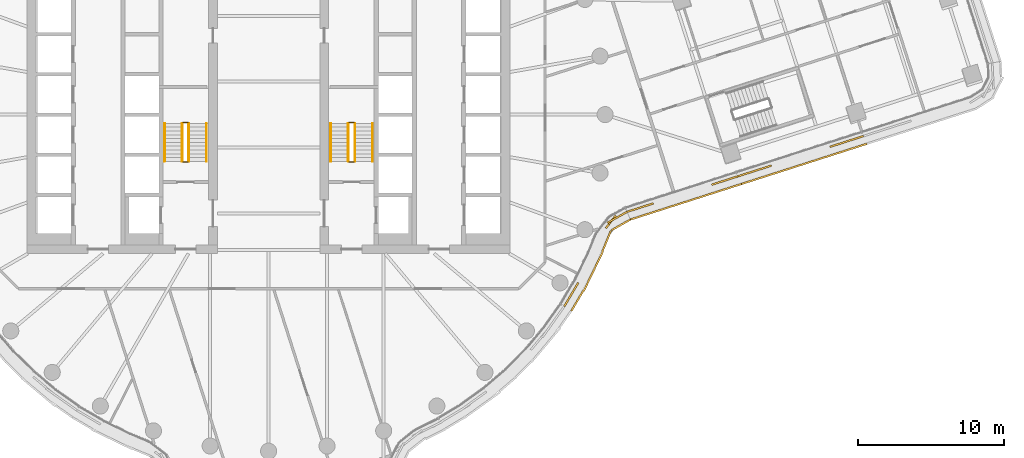
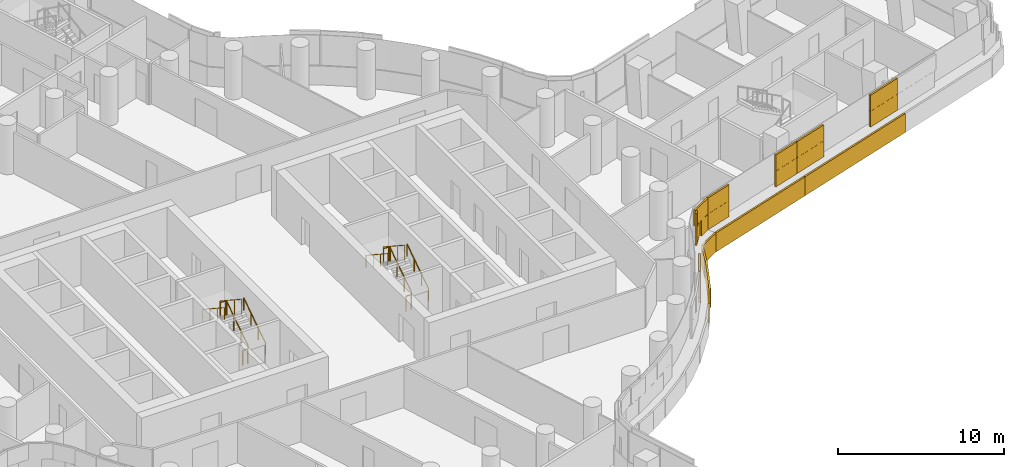
# One storey, part 27 of 30: 12 railings, 3 coverings.
"""IFC4 building model written with IfcOpenShell, lengths in metres."""

import ifcopenshell
import ifcopenshell.guid

model = None  # the IFC model being written
_history = None  # IfcOwnerHistory: only IFC2X3 demands one
_inside = {}  # id of a spatial element -> (the spatial element, [elements in it])
_under = {}  # id of a project, library or spatial element -> (it, [spatial elements below it])
_declared = {}  # id of a project -> (the project, [libraries it declares])
_typed = {}  # id of a type object -> (the type object, [elements of that type])
_made_of = {}  # id of a material, layer set ... -> (it, [elements and type objects made of it])


def new_model(schema):
    """Start an empty IFC model of exactly this schema.

    Asked for "IFC4X3", IfcOpenShell would pick the latest addendum, in which some entities
    have other attributes; the version numbers below select the first issue.
    IFC2X3 requires an IfcOwnerHistory on every rooted entity: one is made here for all.
    """
    global model, _history
    if schema == "IFC4X3":
        model = ifcopenshell.file(schema_version=(4, 3, 0, 0))
    else:
        model = ifcopenshell.file(schema=schema)
    _inside.clear()
    _under.clear()
    _declared.clear()
    _typed.clear()
    _made_of.clear()
    _history = None
    if model.schema == "IFC2X3":
        org = make("IfcOrganization", Name="unknown")
        user = make(
            "IfcPersonAndOrganization",
            ThePerson=make("IfcPerson", FamilyName="unknown"),
            TheOrganization=org,
        )
        app = make(
            "IfcApplication",
            ApplicationDeveloper=org,
            Version="unknown",
            ApplicationFullName="unknown",
            ApplicationIdentifier="unknown",
        )
        _history = make(
            "IfcOwnerHistory",
            OwningUser=user,
            OwningApplication=app,
            ChangeAction="ADDED",
            CreationDate=0,
        )
    return model


def make(cls, **values):
    """One entity of the class cls with the attributes given. An attribute that is None is left unset."""
    return model.create_entity(
        cls, **{name: value for name, value in values.items() if value is not None}
    )


def rooted(cls, **values):
    """An entity with a GlobalId (a new one), such as an element, a storey or a relation."""
    return make(cls, GlobalId=ifcopenshell.guid.new(), OwnerHistory=_history, **values)


def si_unit(unit_type, name, prefix=None):
    """IfcSIUnit, for example si_unit("LENGTHUNIT", "METRE", prefix="MILLI")."""
    return make("IfcSIUnit", UnitType=unit_type, Prefix=prefix, Name=name)


def assignment(units):
    """IfcUnitAssignment: the units of a project."""
    return None if units is None else make("IfcUnitAssignment", Units=units)


def point(xyz):
    """IfcCartesianPoint."""
    return None if xyz is None else make("IfcCartesianPoint", Coordinates=xyz)


def direction(xyz):
    """IfcDirection."""
    return None if xyz is None else make("IfcDirection", DirectionRatios=xyz)


def frame(location, z_axis=None, x_axis=None):
    """IfcAxis2Placement3D, a coordinate frame: its origin and axes. An axis left out is left unset."""
    return make(
        "IfcAxis2Placement3D",
        Location=point(location),
        Axis=direction(z_axis),
        RefDirection=direction(x_axis),
    )


def frame_2d(location, x_axis=None):
    """IfcAxis2Placement2D, a coordinate frame in the plane: its origin and x axis."""
    return make(
        "IfcAxis2Placement2D", Location=point(location), RefDirection=direction(x_axis)
    )


def origin():
    """The frame at (0, 0, 0) with its axes left unset."""
    return frame((0.0, 0.0, 0.0))


def origin_2d():
    """The frame at (0, 0) in the plane with its x axis left unset."""
    return frame_2d((0.0, 0.0))


def place(relative_to, where):
    """IfcLocalPlacement: puts the frame where relative to a parent placement (None: the world)."""
    return make(
        "IfcLocalPlacement", PlacementRelTo=relative_to, RelativePlacement=where
    )


def context(
    kind, dimensions, precision=None, world=None, true_north=None, identifier=None
):
    """IfcGeometricRepresentationContext, for example the 3D "Model" context."""
    return make(
        "IfcGeometricRepresentationContext",
        ContextIdentifier=identifier,
        ContextType=kind,
        CoordinateSpaceDimension=dimensions,
        Precision=precision,
        WorldCoordinateSystem=world,
        TrueNorth=true_north,
    )


def subcontext(parent, identifier, kind, view, scale=None):
    """IfcGeometricRepresentationSubContext, for example "Body" below "Model"."""
    return make(
        "IfcGeometricRepresentationSubContext",
        ContextIdentifier=identifier,
        ContextType=kind,
        ParentContext=parent,
        TargetScale=scale,
        TargetView=view,
    )


def project(units=None, contexts=None):
    """IfcProject with its units and contexts."""
    return rooted(
        "IfcProject",
        Name="project",
        RepresentationContexts=contexts,
        UnitsInContext=assignment(units),
    )


def spatial(cls, under=None, at=None, **own):
    """A site, building, storey or space (cls), placed at a placement, below another one or the project."""
    s = rooted(cls, ObjectPlacement=at, **own)
    if under is not None:
        _under.setdefault(under.id(), (under, []))[1].append(s)
    return s


def profile(cls, at=None, kind="AREA", **sizes):
    """A parametric profile (cls). Its sizes go by their IFC names, for example OverallWidth=200.0."""
    return make(cls, ProfileType=kind, Position=at, **sizes)


def rectangle(**sizes):
    """IfcRectangleProfileDef."""
    return profile("IfcRectangleProfileDef", **sizes)


def circle(**sizes):
    """IfcCircleProfileDef."""
    return profile("IfcCircleProfileDef", **sizes)


def extrude(swept, where, along, depth):
    """IfcExtrudedAreaSolid: the profile swept, set in the frame where, extruded along a direction by depth."""
    return make(
        "IfcExtrudedAreaSolid",
        SweptArea=swept,
        Position=where,
        ExtrudedDirection=direction(along),
        Depth=depth,
    )


def shape(context_of_items, identifier, shape_type, items):
    """IfcShapeRepresentation: the items that make up one representation, for example the "Body"."""
    return make(
        "IfcShapeRepresentation",
        ContextOfItems=context_of_items,
        RepresentationIdentifier=identifier,
        RepresentationType=shape_type,
        Items=items,
    )


def material(Name=None, Category=None):
    """IfcMaterial."""
    return make("IfcMaterial", Name=Name, Category=Category)


def layer(
    of_material, thickness, ventilated=None, Name=None, Category=None, Priority=None
):
    """IfcMaterialLayer: one layer of a wall or slab, of a material (None: an air gap)."""
    return make(
        "IfcMaterialLayer",
        Material=of_material,
        LayerThickness=thickness,
        IsVentilated=ventilated,
        Name=Name,
        Category=Category,
        Priority=Priority,
    )


def layer_set(layers, Name=None):
    """IfcMaterialLayerSet."""
    return make("IfcMaterialLayerSet", MaterialLayers=layers, LayerSetName=Name)


def made_of(thing, what):
    """Note that an element or type object is made of a material, layer set ...; save() writes the relation."""
    if what is not None:
        _made_of.setdefault(what.id(), (what, []))[1].append(thing)
    return thing


def type_object(cls, material=None, **own):
    """A type object (cls), such as IfcWallType, which elements share."""
    return made_of(rooted(cls, **own), material)


def element(
    cls,
    number,
    at=None,
    inside=None,
    cuts=None,
    type_object=None,
    material=None,
    context=None,
    identifier="Body",
    shape_type=None,
    held_by="IfcProductDefinitionShape",
    body=None,
    shapes=None,
    **own,
):
    """One element of the class cls, such as IfcWall. Its Tag is "e" and its number.

    at: its placement. inside: the storey or other place that contains it. cuts: it is an
    opening in that element (IfcRelVoidsElement). A single representation is given by context,
    identifier, shape_type and body (its items); several are given by shapes. held_by: the class
    of the entity that holds the representations. save() writes the other relations.
    """
    e = rooted(cls, Tag="e%d" % number, ObjectPlacement=at, **own)
    if body is not None:
        shapes = [shape(context, identifier, shape_type, body)]
    if shapes is not None:
        e.Representation = make(held_by, Representations=shapes)
    if inside is not None:
        _inside.setdefault(inside.id(), (inside, []))[1].append(e)
    if cuts is not None:
        rooted(
            "IfcRelVoidsElement", RelatingBuildingElement=cuts, RelatedOpeningElement=e
        )
    if type_object is not None:
        _typed.setdefault(type_object.id(), (type_object, []))[1].append(e)
    return made_of(e, material)


def aggregate(whole, parts):
    """IfcRelAggregates: a whole, such as a stair, and the parts it consists of."""
    return rooted("IfcRelAggregates", RelatingObject=whole, RelatedObjects=parts)


def save(model, path):
    """Write the relations noted so far, then the file.

    IfcRelAggregates (storeys below a building ...), IfcRelContainedInSpatialStructure (elements
    in a storey), IfcRelDefinesByType, IfcRelAssociatesMaterial and IfcRelDeclares: one each for
    every whole, place, type object, material and project.
    """
    for whole, parts in _under.values():
        aggregate(whole, parts)
    for where, things in _inside.values():
        rooted(
            "IfcRelContainedInSpatialStructure",
            RelatedElements=things,
            RelatingStructure=where,
        )
    for kind, things in _typed.values():
        rooted("IfcRelDefinesByType", RelatedObjects=things, RelatingType=kind)
    for what, things in _made_of.values():
        rooted("IfcRelAssociatesMaterial", RelatedObjects=things, RelatingMaterial=what)
    for by, libraries in _declared.values():
        rooted("IfcRelDeclares", RelatingContext=by, RelatedDefinitions=libraries)
    model.write(path)


model = new_model("IFC4")

# Units and contexts
model_context = context("Model", 3, precision=1e-05, world=origin(), true_north=direction((0.0, 1.0)))
body_context = subcontext(model_context, "Body", "Model", "MODEL_VIEW")
ifc_project = project(units=[si_unit("LENGTHUNIT", "METRE"), si_unit("AREAUNIT", "SQUARE_METRE"), si_unit("VOLUMEUNIT", "CUBIC_METRE"), si_unit("PLANEANGLEUNIT", "RADIAN"), si_unit("MASSUNIT", "GRAM", prefix="KILO")], contexts=[model_context])

# Site, building, storey
site_placement = place(None, origin())
site = spatial("IfcSite", under=ifc_project, at=site_placement, CompositionType="ELEMENT")
building_placement = place(site_placement, origin())
building = spatial("IfcBuilding", under=site, at=building_placement, Name="Tamarind Cross Interchange Tower", CompositionType="ELEMENT")
storey_placement = place(building_placement, frame((0.0, 0.0, 98.5)))
storey = spatial("IfcBuildingStorey", under=building, at=storey_placement, Name="L23", CompositionType="ELEMENT", Elevation=98.5)

# Railings
ifc_material_1 = material(Name="Stair guard")
railing_type_1 = type_object("IfcRailingType", Name="Stair guard", PredefinedType="GUARDRAIL", material=ifc_material_1)
railing_1_placement = place(storey_placement, frame((-5.449951171875, -3.199951171875, 0.17041015625)))
element("IfcRailing", 1, at=railing_1_placement, inside=storey, type_object=railing_type_1, Name="L23 ST1 stair guard 1", PredefinedType="GUARDRAIL", context=body_context, shape_type="SweptSolid", body=[
    extrude(circle(Radius=0.02392578125, at=origin_2d()), frame((0.0, 0.0, 1.076171875), z_axis=(0.0, 0.836278606002, 0.548304744775), x_axis=(-1.0, 0.0, 0.0)), (0.0, 0.0, 1.0), 3.10888671875),
    extrude(circle(Radius=0.02099609375, at=origin_2d()), origin(), (0.0, 0.0, 1.0), 1.052001953125),
    extrude(circle(Radius=0.02099609375, at=origin_2d()), frame((0.0, 0.86669921875, 0.568115234375)), (0.0, 0.0, 1.0), 1.052001953125),
    extrude(circle(Radius=0.02099609375, at=origin_2d()), frame((0.0, 1.733154296875, 1.136474609375)), (0.0, 0.0, 1.0), 1.052001953125),
    extrude(circle(Radius=0.02099609375, at=origin_2d()), frame((0.0, 2.599853515625, 1.70458984375)), (0.0, 0.0, 1.0), 1.052001953125),
])
railing_2_placement = place(storey_placement, frame((-5.5, -0.550048828125, 1.875)))
element("IfcRailing", 2, at=railing_2_placement, inside=storey, type_object=railing_type_1, Name="L23 ST1 stair guard 2", PredefinedType="GUARDRAIL", context=body_context, shape_type="SweptSolid", body=[
    extrude(circle(Radius=0.02392578125, at=origin_2d()), frame((0.0, 0.0, 1.076171875), z_axis=(-1.0, 0.0, 0.0), x_axis=(0.0, -1.0, 0.0)), (0.0, 0.0, 1.0), 0.35009765625),
    extrude(circle(Radius=0.02099609375, at=origin_2d()), origin(), (0.0, 0.0, 1.0), 1.052001953125),
    extrude(circle(Radius=0.02099609375, at=origin_2d()), frame((-0.35009765625, 0.0, 0.0)), (0.0, 0.0, 1.0), 1.052001953125),
])
railing_3_placement = place(storey_placement, frame((-5.89990234375, -0.60009765625, 2.04541015625)))
element("IfcRailing", 3, at=railing_3_placement, inside=storey, type_object=railing_type_1, Name="L23 ST1 stair guard 3", PredefinedType="GUARDRAIL", context=body_context, shape_type="SweptSolid", body=[
    extrude(circle(Radius=0.02392578125, at=origin_2d()), frame((0.0, 0.0, 1.076171875), z_axis=(0.0, -0.836278606002, 0.548304744775), x_axis=(1.0, 0.0, 0.0)), (0.0, 0.0, 1.0), 3.10888671875),
    extrude(circle(Radius=0.02099609375, at=origin_2d()), origin(), (0.0, 0.0, 1.0), 1.052001953125),
    extrude(circle(Radius=0.02099609375, at=origin_2d()), frame((0.0, -0.86669921875, 0.568115234375)), (0.0, 0.0, 1.0), 1.052001953125),
    extrude(circle(Radius=0.02099609375, at=origin_2d()), frame((0.0, -1.733154296875, 1.136474609375)), (0.0, 0.0, 1.0), 1.052001953125),
    extrude(circle(Radius=0.02099609375, at=origin_2d()), frame((0.0, -2.599853515625, 1.70458984375)), (0.0, 0.0, 1.0), 1.052001953125),
])
railing_4_placement = place(storey_placement, frame((-5.5, -3.25, 0.0)))
element("IfcRailing", 4, at=railing_4_placement, inside=storey, type_object=railing_type_1, Name="L23 ST1 stair guard 4", PredefinedType="GUARDRAIL", context=body_context, shape_type="SweptSolid", body=[
    extrude(circle(Radius=0.02392578125, at=origin_2d()), frame((0.0, 0.0, 1.076171875), z_axis=(-1.0, 0.0, 0.0), x_axis=(0.0, -1.0, 0.0)), (0.0, 0.0, 1.0), 0.35009765625),
    extrude(circle(Radius=0.02099609375, at=origin_2d()), origin(), (0.0, 0.0, 1.0), 1.052001953125),
    extrude(circle(Radius=0.02099609375, at=origin_2d()), frame((-0.35009765625, 0.0, 0.0)), (0.0, 0.0, 1.0), 1.052001953125),
])
railing_5_placement = place(storey_placement, frame((5.89990234375, -3.199951171875, 0.17041015625)))
element("IfcRailing", 5, at=railing_5_placement, inside=storey, type_object=railing_type_1, Name="L23 ST2 stair guard 1", PredefinedType="GUARDRAIL", context=body_context, shape_type="SweptSolid", body=[
    extrude(circle(Radius=0.02392578125, at=origin_2d()), frame((0.0, 0.0, 1.076171875), z_axis=(0.0, 0.836278606002, 0.548304744775), x_axis=(-1.0, 0.0, 0.0)), (0.0, 0.0, 1.0), 3.10888671875),
    extrude(circle(Radius=0.02099609375, at=origin_2d()), origin(), (0.0, 0.0, 1.0), 1.052001953125),
    extrude(circle(Radius=0.02099609375, at=origin_2d()), frame((0.0, 0.86669921875, 0.568115234375)), (0.0, 0.0, 1.0), 1.052001953125),
    extrude(circle(Radius=0.02099609375, at=origin_2d()), frame((0.0, 1.733154296875, 1.136474609375)), (0.0, 0.0, 1.0), 1.052001953125),
    extrude(circle(Radius=0.02099609375, at=origin_2d()), frame((0.0, 2.599853515625, 1.70458984375)), (0.0, 0.0, 1.0), 1.052001953125),
])
railing_6_placement = place(storey_placement, frame((5.85009765625, -0.550048828125, 1.875)))
element("IfcRailing", 6, at=railing_6_placement, inside=storey, type_object=railing_type_1, Name="L23 ST2 stair guard 2", PredefinedType="GUARDRAIL", context=body_context, shape_type="SweptSolid", body=[
    extrude(circle(Radius=0.02392578125, at=origin_2d()), frame((0.0, 0.0, 1.076171875), z_axis=(-1.0, 0.0, 0.0), x_axis=(0.0, -1.0, 0.0)), (0.0, 0.0, 1.0), 0.35009765625),
    extrude(circle(Radius=0.02099609375, at=origin_2d()), origin(), (0.0, 0.0, 1.0), 1.052001953125),
    extrude(circle(Radius=0.02099609375, at=origin_2d()), frame((-0.35009765625, 0.0, 0.0)), (0.0, 0.0, 1.0), 1.052001953125),
])
railing_7_placement = place(storey_placement, frame((5.449951171875, -0.60009765625, 2.04541015625)))
element("IfcRailing", 7, at=railing_7_placement, inside=storey, type_object=railing_type_1, Name="L23 ST2 stair guard 3", PredefinedType="GUARDRAIL", context=body_context, shape_type="SweptSolid", body=[
    extrude(circle(Radius=0.02392578125, at=origin_2d()), frame((0.0, 0.0, 1.076171875), z_axis=(0.0, -0.836278606002, 0.548304744775), x_axis=(1.0, 0.0, 0.0)), (0.0, 0.0, 1.0), 3.10888671875),
    extrude(circle(Radius=0.02099609375, at=origin_2d()), origin(), (0.0, 0.0, 1.0), 1.052001953125),
    extrude(circle(Radius=0.02099609375, at=origin_2d()), frame((0.0, -0.86669921875, 0.568115234375)), (0.0, 0.0, 1.0), 1.052001953125),
    extrude(circle(Radius=0.02099609375, at=origin_2d()), frame((0.0, -1.733154296875, 1.136474609375)), (0.0, 0.0, 1.0), 1.052001953125),
    extrude(circle(Radius=0.02099609375, at=origin_2d()), frame((0.0, -2.599853515625, 1.70458984375)), (0.0, 0.0, 1.0), 1.052001953125),
])
railing_8_placement = place(storey_placement, frame((5.85009765625, -3.25, 0.0)))
element("IfcRailing", 8, at=railing_8_placement, inside=storey, type_object=railing_type_1, Name="L23 ST2 stair guard 4", PredefinedType="GUARDRAIL", context=body_context, shape_type="SweptSolid", body=[
    extrude(circle(Radius=0.02392578125, at=origin_2d()), frame((0.0, 0.0, 1.076171875), z_axis=(-1.0, 0.0, 0.0), x_axis=(0.0, -1.0, 0.0)), (0.0, 0.0, 1.0), 0.35009765625),
    extrude(circle(Radius=0.02099609375, at=origin_2d()), origin(), (0.0, 0.0, 1.0), 1.052001953125),
    extrude(circle(Radius=0.02099609375, at=origin_2d()), frame((-0.35009765625, 0.0, 0.0)), (0.0, 0.0, 1.0), 1.052001953125),
])
ifc_material_2 = material(Name="Stair handrail")
railing_type_2 = type_object("IfcRailingType", Name="Stair handrail", PredefinedType="HANDRAIL", material=ifc_material_2)
railing_9_placement = place(storey_placement, frame((-4.25, -3.199951171875, 0.17041015625)))
element("IfcRailing", 9, at=railing_9_placement, inside=storey, type_object=railing_type_2, Name="L23 ST1 stair handrail 1", PredefinedType="HANDRAIL", context=body_context, shape_type="SweptSolid", body=[
    extrude(circle(Radius=0.02392578125, at=origin_2d()), frame((0.0, 0.0, 0.8759765625), z_axis=(0.0, 0.836278606002, 0.548304744775), x_axis=(-1.0, 0.0, 0.0)), (0.0, 0.0, 1.0), 3.10888671875),
    extrude(circle(Radius=0.02099609375, at=origin_2d()), origin(), (0.0, 0.0, 1.0), 0.851806640625),
    extrude(circle(Radius=0.02099609375, at=origin_2d()), frame((0.0, 0.86669921875, 0.568115234375)), (0.0, 0.0, 1.0), 0.851806640625),
    extrude(circle(Radius=0.02099609375, at=origin_2d()), frame((0.0, 1.733154296875, 1.136474609375)), (0.0, 0.0, 1.0), 0.851806640625),
    extrude(circle(Radius=0.02099609375, at=origin_2d()), frame((0.0, 2.599853515625, 1.70458984375)), (0.0, 0.0, 1.0), 0.851806640625),
])
railing_10_placement = place(storey_placement, frame((-7.10009765625, -0.60009765625, 2.04541015625)))
element("IfcRailing", 10, at=railing_10_placement, inside=storey, type_object=railing_type_2, Name="L23 ST1 stair handrail 2", PredefinedType="HANDRAIL", context=body_context, shape_type="SweptSolid", body=[
    extrude(circle(Radius=0.02392578125, at=origin_2d()), frame((0.0, 0.0, 0.8759765625), z_axis=(0.0, -0.836278606002, 0.548304744775), x_axis=(1.0, 0.0, 0.0)), (0.0, 0.0, 1.0), 3.10888671875),
    extrude(circle(Radius=0.02099609375, at=origin_2d()), origin(), (0.0, 0.0, 1.0), 0.851806640625),
    extrude(circle(Radius=0.02099609375, at=origin_2d()), frame((0.0, -0.86669921875, 0.568115234375)), (0.0, 0.0, 1.0), 0.851806640625),
    extrude(circle(Radius=0.02099609375, at=origin_2d()), frame((0.0, -1.733154296875, 1.136474609375)), (0.0, 0.0, 1.0), 0.851806640625),
    extrude(circle(Radius=0.02099609375, at=origin_2d()), frame((0.0, -2.599853515625, 1.70458984375)), (0.0, 0.0, 1.0), 0.851806640625),
])
railing_11_placement = place(storey_placement, frame((7.10009765625, -3.199951171875, 0.17041015625)))
element("IfcRailing", 11, at=railing_11_placement, inside=storey, type_object=railing_type_2, Name="L23 ST2 stair handrail 1", PredefinedType="HANDRAIL", context=body_context, shape_type="SweptSolid", body=[
    extrude(circle(Radius=0.02392578125, at=origin_2d()), frame((0.0, 0.0, 0.8759765625), z_axis=(0.0, 0.836278606002, 0.548304744775), x_axis=(-1.0, 0.0, 0.0)), (0.0, 0.0, 1.0), 3.10888671875),
    extrude(circle(Radius=0.02099609375, at=origin_2d()), origin(), (0.0, 0.0, 1.0), 0.851806640625),
    extrude(circle(Radius=0.02099609375, at=origin_2d()), frame((0.0, 0.86669921875, 0.568115234375)), (0.0, 0.0, 1.0), 0.851806640625),
    extrude(circle(Radius=0.02099609375, at=origin_2d()), frame((0.0, 1.733154296875, 1.136474609375)), (0.0, 0.0, 1.0), 0.851806640625),
    extrude(circle(Radius=0.02099609375, at=origin_2d()), frame((0.0, 2.599853515625, 1.70458984375)), (0.0, 0.0, 1.0), 0.851806640625),
])
railing_12_placement = place(storey_placement, frame((4.25, -0.60009765625, 2.04541015625)))
element("IfcRailing", 12, at=railing_12_placement, inside=storey, type_object=railing_type_2, Name="L23 ST2 stair handrail 2", PredefinedType="HANDRAIL", context=body_context, shape_type="SweptSolid", body=[
    extrude(circle(Radius=0.02392578125, at=origin_2d()), frame((0.0, 0.0, 0.8759765625), z_axis=(0.0, -0.836278606002, 0.548304744775), x_axis=(1.0, 0.0, 0.0)), (0.0, 0.0, 1.0), 3.10888671875),
    extrude(circle(Radius=0.02099609375, at=origin_2d()), origin(), (0.0, 0.0, 1.0), 0.851806640625),
    extrude(circle(Radius=0.02099609375, at=origin_2d()), frame((0.0, -0.86669921875, 0.568115234375)), (0.0, 0.0, 1.0), 0.851806640625),
    extrude(circle(Radius=0.02099609375, at=origin_2d()), frame((0.0, -1.733154296875, 1.136474609375)), (0.0, 0.0, 1.0), 0.851806640625),
    extrude(circle(Radius=0.02099609375, at=origin_2d()), frame((0.0, -2.599853515625, 1.70458984375)), (0.0, 0.0, 1.0), 0.851806640625),
])

# Coverings
ifc_material_3 = material(Name="Terracotta", Category="masonry")
ifc_layer = layer(ifc_material_3, 0.1201171875)
ifc_layer_set = layer_set([ifc_layer], Name="Terracotta")
covering_type = type_object("IfcCoveringType", Name="Terracotta baguette screen unit", PredefinedType="MOLDING", material=ifc_layer_set)
covering_1_placement = place(storey_placement, origin())
element("IfcCovering", 13, at=covering_1_placement, inside=storey, type_object=covering_type, Name="SCR-L23-14-01", PredefinedType="MOLDING", context=body_context, shape_type="SweptSolid", body=[
    extrude(rectangle(XDim=1.169189453125, YDim=0.1201171875, at=origin_2d()), frame((20.5068359375, -12.6015625, 1.404052734375), z_axis=(0.0, 0.0, 1.0), x_axis=(0.508183308752, 0.861248933065, 0.0)), (0.0, 0.0, 1.0), 1.1669921875),
    extrude(rectangle(XDim=0.716064453125, YDim=0.1201171875, at=origin_2d()), frame((20.98095703125, -11.798095703125, 1.404052734375), z_axis=(0.0, 0.0, 1.0), x_axis=(0.508183308752, 0.861248933065, 0.0)), (0.0, 0.0, 1.0), 1.1669921875),
    extrude(rectangle(XDim=1.103759765625, YDim=0.1201171875, at=origin_2d()), frame((23.38525390625, -7.331298828125, 1.404052734375), z_axis=(0.0, 0.0, 1.0), x_axis=(0.614716215288, 0.788748359531, 0.0)), (0.0, 0.0, 1.0), 1.1669921875),
    extrude(rectangle(XDim=0.78173828125, YDim=0.1201171875, at=origin_2d()), frame((24.162841796875, -6.833251953125, 1.404052734375), z_axis=(0.0, 0.0, 1.0), x_axis=(0.87181616932, 0.489833203154, 0.0)), (0.0, 0.0, 1.0), 1.1669921875),
    extrude(rectangle(XDim=0.419189453125, YDim=0.1201171875, at=origin_2d()), frame((20.31640625, -12.924560546875, 2.5791015625), z_axis=(0.0, 0.0, 1.0), x_axis=(0.508183308752, 0.861248933065, 0.0)), (0.0, 0.0, 1.0), 1.1669921875),
    extrude(rectangle(XDim=1.466064453125, YDim=0.1201171875, at=origin_2d()), frame((20.790283203125, -12.12109375, 2.5791015625), z_axis=(0.0, 0.0, 1.0), x_axis=(0.508183308752, 0.861248933065, 0.0)), (0.0, 0.0, 1.0), 1.1669921875),
    extrude(rectangle(XDim=0.353759765625, YDim=0.1201171875, at=origin_2d()), frame((23.15478515625, -7.627197265625, 2.5791015625), z_axis=(0.0, 0.0, 1.0), x_axis=(0.614716215288, 0.788748359531, 0.0)), (0.0, 0.0, 1.0), 1.1669921875),
    extrude(rectangle(XDim=1.52001953125, YDim=0.1201171875, at=origin_2d()), frame((23.826416015625, -7.022216796875, 2.5791015625), z_axis=(0.0, 0.0, 1.0), x_axis=(0.87181616932, 0.489833203154, 0.0)), (0.0, 0.0, 1.0), 1.1669921875),
    extrude(rectangle(XDim=0.03173828125, YDim=0.1201171875, at=origin_2d()), frame((24.48974609375, -6.649658203125, 2.5791015625), z_axis=(0.0, 0.0, 1.0), x_axis=(0.87181616932, 0.489833203154, 0.0)), (0.0, 0.0, 1.0), 1.1669921875),
    extrude(rectangle(XDim=0.097900390625, YDim=0.1201171875, at=origin_2d()), frame((20.71923828125, -13.37109375, 0.00390625), z_axis=(0.0, 0.0, 1.0), x_axis=(0.508183308752, 0.861248933065, 0.0)), (0.0, 0.0, 1.0), 1.39208984375),
    extrude(rectangle(XDim=1.52001953125, YDim=0.1201171875, at=origin_2d()), frame((21.120361328125, -12.691650390625, 0.00390625), z_axis=(0.0, 0.0, 1.0), x_axis=(0.508183308752, 0.861248933065, 0.0)), (0.0, 0.0, 1.0), 1.39208984375),
    extrude(rectangle(XDim=1.52001953125, YDim=0.1201171875, at=origin_2d()), frame((21.86181640625, -11.388671875, 0.00390625), z_axis=(0.0, 0.0, 1.0), x_axis=(0.435326231914, 0.900272776334, 0.0)), (0.0, 0.0, 1.0), 1.39208984375),
    extrude(rectangle(XDim=1.52001953125, YDim=0.1201171875, at=origin_2d()), frame((22.514892578125, -10.0380859375, 0.00390625), z_axis=(0.0, 0.0, 1.0), x_axis=(0.435326231914, 0.900272776334, 0.0)), (0.0, 0.0, 1.0), 1.39208984375),
    extrude(rectangle(XDim=1.52001953125, YDim=0.1201171875, at=origin_2d()), frame((23.0986328125, -8.65673828125, 0.00390625), z_axis=(0.0, 0.0, 1.0), x_axis=(0.380016400355, 0.924979748676, 0.0)), (0.0, 0.0, 1.0), 1.39208984375),
    extrude(rectangle(XDim=1.52001953125, YDim=0.1201171875, at=origin_2d()), frame((24.072998046875, -7.542236328125, 0.00390625), z_axis=(0.0, 0.0, 1.0), x_axis=(0.87181616932, 0.489833203154, 0.0)), (0.0, 0.0, 1.0), 1.39208984375),
])
covering_2_placement = place(storey_placement, origin())
element("IfcCovering", 14, at=covering_2_placement, inside=storey, type_object=covering_type, Name="SCR-L23-15-00", PredefinedType="MOLDING", context=body_context, shape_type="SweptSolid", body=[
    extrude(rectangle(XDim=0.760009765625, YDim=0.1201171875, at=origin_2d()), frame((24.8564453125, -6.52978515625, 1.404052734375), z_axis=(0.0, 0.0, 1.0), x_axis=(0.95233405785, 0.305057113111, 0.0)), (0.0, 0.0, 1.0), 1.1669921875),
    extrude(rectangle(XDim=1.138427734375, YDim=0.1201171875, at=origin_2d()), frame((25.750732421875, -6.243408203125, 1.404052734375), z_axis=(0.0, 0.0, 1.0), x_axis=(0.95233405785, 0.305057113111, 0.0)), (0.0, 0.0, 1.0), 1.1669921875),
    extrude(rectangle(XDim=0.681640625, YDim=0.1201171875, at=origin_2d()), frame((30.607666015625, -4.6875, 1.404052734375), z_axis=(0.0, 0.0, 1.0), x_axis=(0.95233405785, 0.305057113111, 0.0)), (0.0, 0.0, 1.0), 1.1669921875),
    extrude(rectangle(XDim=1.216796875, YDim=0.1201171875, at=origin_2d()), frame((31.502197265625, -4.401123046875, 1.404052734375), z_axis=(0.0, 0.0, 1.0), x_axis=(0.95233405785, 0.305057113111, 0.0)), (0.0, 0.0, 1.0), 1.1669921875),
    extrude(rectangle(XDim=1.510009765625, YDim=0.1201171875, at=origin_2d()), frame((25.21337890625, -6.41552734375, 2.5791015625), z_axis=(0.0, 0.0, 1.0), x_axis=(0.95233405785, 0.305057113111, 0.0)), (0.0, 0.0, 1.0), 1.1669921875),
    extrude(rectangle(XDim=0.388427734375, YDim=0.1201171875, at=origin_2d()), frame((26.10791015625, -6.12890625, 2.5791015625), z_axis=(0.0, 0.0, 1.0), x_axis=(0.95233405785, 0.305057113111, 0.0)), (0.0, 0.0, 1.0), 1.1669921875),
    extrude(rectangle(XDim=1.431640625, YDim=0.1201171875, at=origin_2d()), frame((30.96484375, -4.5732421875, 2.5791015625), z_axis=(0.0, 0.0, 1.0), x_axis=(0.95233405785, 0.305057113111, 0.0)), (0.0, 0.0, 1.0), 1.1669921875),
    extrude(rectangle(XDim=0.466796875, YDim=0.1201171875, at=origin_2d()), frame((31.859130859375, -4.28662109375, 2.5791015625), z_axis=(0.0, 0.0, 1.0), x_axis=(0.95233405785, 0.305057113111, 0.0)), (0.0, 0.0, 1.0), 1.1669921875),
    extrude(rectangle(XDim=0.760009765625, YDim=0.1201171875, at=origin_2d()), frame((25.091552734375, -7.057373046875, 0.00390625), z_axis=(0.0, 0.0, 1.0), x_axis=(0.95233405785, 0.305057113111, 0.0)), (0.0, 0.0, 1.0), 1.39208984375),
    extrude(rectangle(XDim=1.52001953125, YDim=0.1201171875, at=origin_2d()), frame((26.158203125, -6.715576171875, 0.00390625), z_axis=(0.0, 0.0, 1.0), x_axis=(0.95233405785, 0.305057113111, 0.0)), (0.0, 0.0, 1.0), 1.39208984375),
    extrude(rectangle(XDim=1.52001953125, YDim=0.1201171875, at=origin_2d()), frame((27.586669921875, -6.258056640625, 0.00390625), z_axis=(0.0, 0.0, 1.0), x_axis=(0.95233405785, 0.305057113111, 0.0)), (0.0, 0.0, 1.0), 1.39208984375),
    extrude(rectangle(XDim=1.52001953125, YDim=0.1201171875, at=origin_2d()), frame((29.01513671875, -5.800537109375, 0.00390625), z_axis=(0.0, 0.0, 1.0), x_axis=(0.95233405785, 0.305057113111, 0.0)), (0.0, 0.0, 1.0), 1.39208984375),
    extrude(rectangle(XDim=1.52001953125, YDim=0.1201171875, at=origin_2d()), frame((30.443603515625, -5.3427734375, 0.00390625), z_axis=(0.0, 0.0, 1.0), x_axis=(0.95233405785, 0.305057113111, 0.0)), (0.0, 0.0, 1.0), 1.39208984375),
    extrude(rectangle(XDim=1.222412109375, YDim=0.1201171875, at=origin_2d()), frame((31.73046875, -4.9306640625, 0.00390625), z_axis=(0.0, 0.0, 1.0), x_axis=(0.95233405785, 0.305057113111, 0.0)), (0.0, 0.0, 1.0), 1.39208984375),
])
covering_3_placement = place(storey_placement, origin())
element("IfcCovering", 15, at=covering_3_placement, inside=storey, type_object=covering_type, Name="SCR-L23-15-01", PredefinedType="MOLDING", context=body_context, shape_type="SweptSolid", body=[
    extrude(rectangle(XDim=0.30322265625, YDim=0.1201171875, at=origin_2d()), frame((32.21630859375, -4.17236328125, 1.404052734375), z_axis=(0.0, 0.0, 1.0), x_axis=(0.95233405785, 0.305057113111, 0.0)), (0.0, 0.0, 1.0), 1.1669921875),
    extrude(rectangle(XDim=1.52001953125, YDim=0.1201171875, at=origin_2d()), frame((33.0703125, -3.898681640625, 1.404052734375), z_axis=(0.0, 0.0, 1.0), x_axis=(0.95233405785, 0.305057113111, 0.0)), (0.0, 0.0, 1.0), 1.1669921875),
    extrude(rectangle(XDim=0.6171875, YDim=0.1201171875, at=origin_2d()), frame((34.07373046875, -3.577392578125, 1.404052734375), z_axis=(0.0, 0.0, 1.0), x_axis=(0.95233405785, 0.305057113111, 0.0)), (0.0, 0.0, 1.0), 1.1669921875),
    extrude(rectangle(XDim=1.20263671875, YDim=0.1201171875, at=origin_2d()), frame((38.9306640625, -2.021484375, 1.404052734375), z_axis=(0.0, 0.0, 1.0), x_axis=(0.95233405785, 0.305057113111, 0.0)), (0.0, 0.0, 1.0), 1.1669921875),
    extrude(rectangle(XDim=1.2177734375, YDim=0.1201171875, at=origin_2d()), frame((40.073486328125, -1.655517578125, 1.404052734375), z_axis=(0.0, 0.0, 1.0), x_axis=(0.95233405785, 0.305057113111, 0.0)), (0.0, 0.0, 1.0), 1.1669921875),
    extrude(rectangle(XDim=1.05322265625, YDim=0.1201171875, at=origin_2d()), frame((32.573486328125, -4.057861328125, 2.5791015625), z_axis=(0.0, 0.0, 1.0), x_axis=(0.95233405785, 0.305057113111, 0.0)), (0.0, 0.0, 1.0), 1.1669921875),
    extrude(rectangle(XDim=1.3671875, YDim=0.1201171875, at=origin_2d()), frame((33.716552734375, -3.691650390625, 2.5791015625), z_axis=(0.0, 0.0, 1.0), x_axis=(0.95233405785, 0.305057113111, 0.0)), (0.0, 0.0, 1.0), 1.1669921875),
    extrude(rectangle(XDim=0.45263671875, YDim=0.1201171875, at=origin_2d()), frame((38.573486328125, -2.135986328125, 2.5791015625), z_axis=(0.0, 0.0, 1.0), x_axis=(0.95233405785, 0.305057113111, 0.0)), (0.0, 0.0, 1.0), 1.1669921875),
    extrude(rectangle(XDim=1.52001953125, YDim=0.1201171875, at=origin_2d()), frame((39.49853515625, -1.839599609375, 2.5791015625), z_axis=(0.0, 0.0, 1.0), x_axis=(0.95233405785, 0.305057113111, 0.0)), (0.0, 0.0, 1.0), 1.1669921875),
    extrude(rectangle(XDim=0.4677734375, YDim=0.1201171875, at=origin_2d()), frame((40.4306640625, -1.541015625, 2.5791015625), z_axis=(0.0, 0.0, 1.0), x_axis=(0.95233405785, 0.305057113111, 0.0)), (0.0, 0.0, 1.0), 1.1669921875),
    extrude(rectangle(XDim=0.297607421875, YDim=0.1201171875, at=origin_2d()), frame((32.454345703125, -4.69873046875, 0.00390625), z_axis=(0.0, 0.0, 1.0), x_axis=(0.95233405785, 0.305057113111, 0.0)), (0.0, 0.0, 1.0), 1.39208984375),
    extrude(rectangle(XDim=1.52001953125, YDim=0.1201171875, at=origin_2d()), frame((33.30078125, -4.427734375, 0.00390625), z_axis=(0.0, 0.0, 1.0), x_axis=(0.95233405785, 0.305057113111, 0.0)), (0.0, 0.0, 1.0), 1.39208984375),
    extrude(rectangle(XDim=1.52001953125, YDim=0.1201171875, at=origin_2d()), frame((34.729248046875, -3.97021484375, 0.00390625), z_axis=(0.0, 0.0, 1.0), x_axis=(0.95233405785, 0.305057113111, 0.0)), (0.0, 0.0, 1.0), 1.39208984375),
    extrude(rectangle(XDim=1.52001953125, YDim=0.1201171875, at=origin_2d()), frame((36.15771484375, -3.512451171875, 0.00390625), z_axis=(0.0, 0.0, 1.0), x_axis=(0.95233405785, 0.305057113111, 0.0)), (0.0, 0.0, 1.0), 1.39208984375),
    extrude(rectangle(XDim=1.52001953125, YDim=0.1201171875, at=origin_2d()), frame((37.586181640625, -3.054931640625, 0.00390625), z_axis=(0.0, 0.0, 1.0), x_axis=(0.95233405785, 0.305057113111, 0.0)), (0.0, 0.0, 1.0), 1.39208984375),
    extrude(rectangle(XDim=1.52001953125, YDim=0.1201171875, at=origin_2d()), frame((39.0146484375, -2.597412109375, 0.00390625), z_axis=(0.0, 0.0, 1.0), x_axis=(0.95233405785, 0.305057113111, 0.0)), (0.0, 0.0, 1.0), 1.39208984375),
    extrude(rectangle(XDim=1.229736328125, YDim=0.1201171875, at=origin_2d()), frame((40.304931640625, -2.18408203125, 0.00390625), z_axis=(0.0, 0.0, 1.0), x_axis=(0.95233405785, 0.305057113111, 0.0)), (0.0, 0.0, 1.0), 1.39208984375),
])

save(model, "model.ifc")
